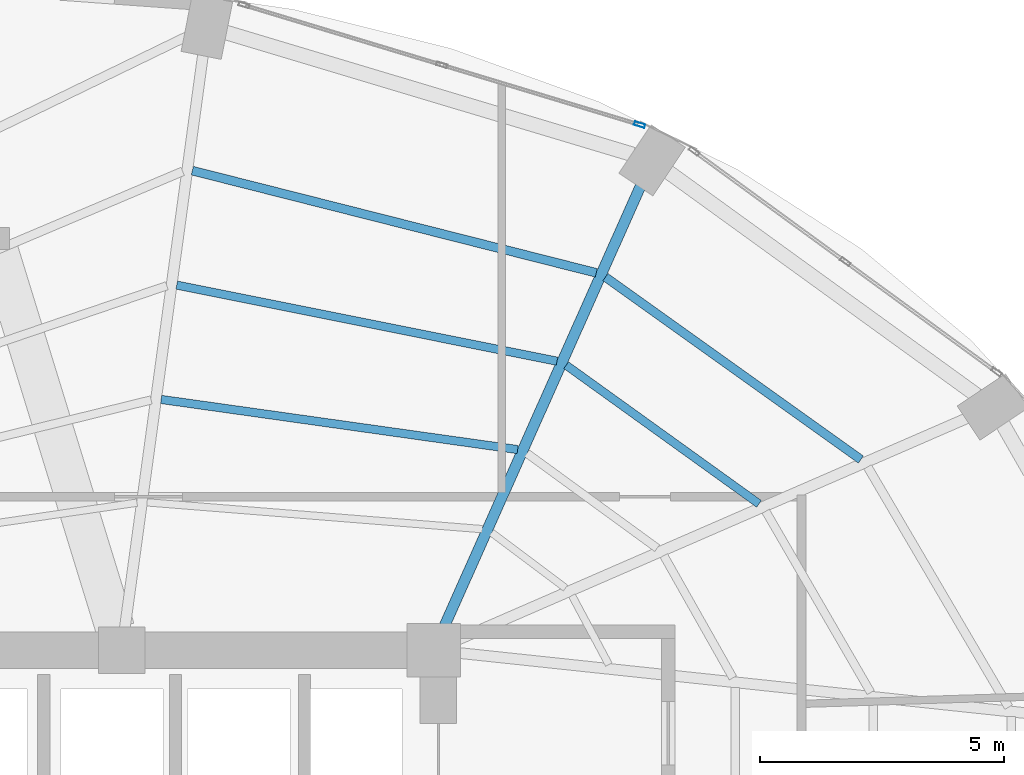
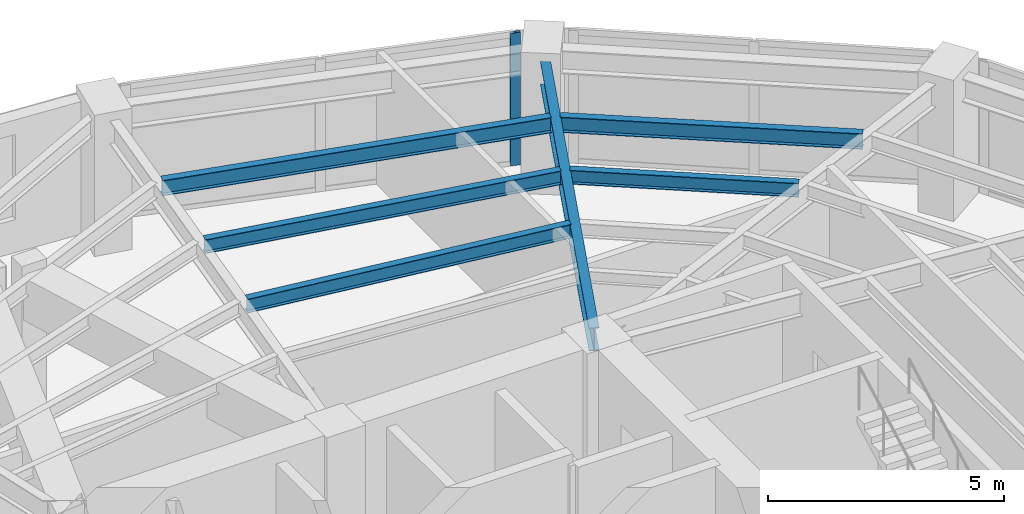
# One storey, part 16 of 23: 6 beams, 1 member, 1 element without a shape of its own.
"""IFC4 building model written with IfcOpenShell, lengths in metres."""

import ifcopenshell
import ifcopenshell.guid

model = None  # the IFC model being written
_history = None  # IfcOwnerHistory: only IFC2X3 demands one
_inside = {}  # id of a spatial element -> (the spatial element, [elements in it])
_under = {}  # id of a project, library or spatial element -> (it, [spatial elements below it])
_declared = {}  # id of a project -> (the project, [libraries it declares])
_typed = {}  # id of a type object -> (the type object, [elements of that type])
_made_of = {}  # id of a material, layer set ... -> (it, [elements and type objects made of it])


def new_model(schema):
    """Start an empty IFC model of exactly this schema.

    Asked for "IFC4X3", IfcOpenShell would pick the latest addendum, in which some entities
    have other attributes; the version numbers below select the first issue.
    IFC2X3 requires an IfcOwnerHistory on every rooted entity: one is made here for all.
    """
    global model, _history
    if schema == "IFC4X3":
        model = ifcopenshell.file(schema_version=(4, 3, 0, 0))
    else:
        model = ifcopenshell.file(schema=schema)
    _inside.clear()
    _under.clear()
    _declared.clear()
    _typed.clear()
    _made_of.clear()
    _history = None
    if model.schema == "IFC2X3":
        org = make("IfcOrganization", Name="unknown")
        user = make(
            "IfcPersonAndOrganization",
            ThePerson=make("IfcPerson", FamilyName="unknown"),
            TheOrganization=org,
        )
        app = make(
            "IfcApplication",
            ApplicationDeveloper=org,
            Version="unknown",
            ApplicationFullName="unknown",
            ApplicationIdentifier="unknown",
        )
        _history = make(
            "IfcOwnerHistory",
            OwningUser=user,
            OwningApplication=app,
            ChangeAction="ADDED",
            CreationDate=0,
        )
    return model


def make(cls, **values):
    """One entity of the class cls with the attributes given. An attribute that is None is left unset."""
    return model.create_entity(
        cls, **{name: value for name, value in values.items() if value is not None}
    )


def rooted(cls, **values):
    """An entity with a GlobalId (a new one), such as an element, a storey or a relation."""
    return make(cls, GlobalId=ifcopenshell.guid.new(), OwnerHistory=_history, **values)


def si_unit(unit_type, name, prefix=None):
    """IfcSIUnit, for example si_unit("LENGTHUNIT", "METRE", prefix="MILLI")."""
    return make("IfcSIUnit", UnitType=unit_type, Prefix=prefix, Name=name)


def assignment(units):
    """IfcUnitAssignment: the units of a project."""
    return None if units is None else make("IfcUnitAssignment", Units=units)


def point(xyz):
    """IfcCartesianPoint."""
    return None if xyz is None else make("IfcCartesianPoint", Coordinates=xyz)


def direction(xyz):
    """IfcDirection."""
    return None if xyz is None else make("IfcDirection", DirectionRatios=xyz)


def frame(location, z_axis=None, x_axis=None):
    """IfcAxis2Placement3D, a coordinate frame: its origin and axes. An axis left out is left unset."""
    return make(
        "IfcAxis2Placement3D",
        Location=point(location),
        Axis=direction(z_axis),
        RefDirection=direction(x_axis),
    )


def frame_2d(location, x_axis=None):
    """IfcAxis2Placement2D, a coordinate frame in the plane: its origin and x axis."""
    return make(
        "IfcAxis2Placement2D", Location=point(location), RefDirection=direction(x_axis)
    )


def origin():
    """The frame at (0, 0, 0) with its axes left unset."""
    return frame((0.0, 0.0, 0.0))


def origin_2d():
    """The frame at (0, 0) in the plane with its x axis left unset."""
    return frame_2d((0.0, 0.0))


def place(relative_to, where):
    """IfcLocalPlacement: puts the frame where relative to a parent placement (None: the world)."""
    return make(
        "IfcLocalPlacement", PlacementRelTo=relative_to, RelativePlacement=where
    )


def context(
    kind, dimensions, precision=None, world=None, true_north=None, identifier=None
):
    """IfcGeometricRepresentationContext, for example the 3D "Model" context."""
    return make(
        "IfcGeometricRepresentationContext",
        ContextIdentifier=identifier,
        ContextType=kind,
        CoordinateSpaceDimension=dimensions,
        Precision=precision,
        WorldCoordinateSystem=world,
        TrueNorth=true_north,
    )


def subcontext(parent, identifier, kind, view, scale=None):
    """IfcGeometricRepresentationSubContext, for example "Body" below "Model"."""
    return make(
        "IfcGeometricRepresentationSubContext",
        ContextIdentifier=identifier,
        ContextType=kind,
        ParentContext=parent,
        TargetScale=scale,
        TargetView=view,
    )


def project(units=None, contexts=None):
    """IfcProject with its units and contexts."""
    return rooted(
        "IfcProject",
        Name="project",
        RepresentationContexts=contexts,
        UnitsInContext=assignment(units),
    )


def spatial(cls, under=None, at=None, **own):
    """A site, building, storey or space (cls), placed at a placement, below another one or the project."""
    s = rooted(cls, ObjectPlacement=at, **own)
    if under is not None:
        _under.setdefault(under.id(), (under, []))[1].append(s)
    return s


def profile(cls, at=None, kind="AREA", **sizes):
    """A parametric profile (cls). Its sizes go by their IFC names, for example OverallWidth=200.0."""
    return make(cls, ProfileType=kind, Position=at, **sizes)


def hollow_rectangle(**sizes):
    """IfcRectangleHollowProfileDef."""
    return profile("IfcRectangleHollowProfileDef", **sizes)


def i_section(**sizes):
    """IfcIShapeProfileDef."""
    return profile("IfcIShapeProfileDef", **sizes)


def extrude(swept, where, along, depth):
    """IfcExtrudedAreaSolid: the profile swept, set in the frame where, extruded along a direction by depth."""
    return make(
        "IfcExtrudedAreaSolid",
        SweptArea=swept,
        Position=where,
        ExtrudedDirection=direction(along),
        Depth=depth,
    )


def shape(context_of_items, identifier, shape_type, items):
    """IfcShapeRepresentation: the items that make up one representation, for example the "Body"."""
    return make(
        "IfcShapeRepresentation",
        ContextOfItems=context_of_items,
        RepresentationIdentifier=identifier,
        RepresentationType=shape_type,
        Items=items,
    )


def material(Name=None, Category=None):
    """IfcMaterial."""
    return make("IfcMaterial", Name=Name, Category=Category)


def layer(
    of_material, thickness, ventilated=None, Name=None, Category=None, Priority=None
):
    """IfcMaterialLayer: one layer of a wall or slab, of a material (None: an air gap)."""
    return make(
        "IfcMaterialLayer",
        Material=of_material,
        LayerThickness=thickness,
        IsVentilated=ventilated,
        Name=Name,
        Category=Category,
        Priority=Priority,
    )


def layer_set(layers, Name=None):
    """IfcMaterialLayerSet."""
    return make("IfcMaterialLayerSet", MaterialLayers=layers, LayerSetName=Name)


def material_profile(
    of_material, cross_section, Name=None, Category=None, Priority=None
):
    """IfcMaterialProfile: a cross section and its material."""
    return make(
        "IfcMaterialProfile",
        Name=Name,
        Material=of_material,
        Profile=cross_section,
        Priority=Priority,
        Category=Category,
    )


def profile_set(profiles, Name=None, composite=None):
    """IfcMaterialProfileSet."""
    return make(
        "IfcMaterialProfileSet",
        Name=Name,
        MaterialProfiles=profiles,
        CompositeProfile=composite,
    )


def made_of(thing, what):
    """Note that an element or type object is made of a material, layer set ...; save() writes the relation."""
    if what is not None:
        _made_of.setdefault(what.id(), (what, []))[1].append(thing)
    return thing


def type_object(cls, material=None, **own):
    """A type object (cls), such as IfcWallType, which elements share."""
    return made_of(rooted(cls, **own), material)


def element(
    cls,
    number,
    at=None,
    inside=None,
    cuts=None,
    type_object=None,
    material=None,
    context=None,
    identifier="Body",
    shape_type=None,
    held_by="IfcProductDefinitionShape",
    body=None,
    shapes=None,
    **own,
):
    """One element of the class cls, such as IfcWall. Its Tag is "e" and its number.

    at: its placement. inside: the storey or other place that contains it. cuts: it is an
    opening in that element (IfcRelVoidsElement). A single representation is given by context,
    identifier, shape_type and body (its items); several are given by shapes. held_by: the class
    of the entity that holds the representations. save() writes the other relations.
    """
    e = rooted(cls, Tag="e%d" % number, ObjectPlacement=at, **own)
    if body is not None:
        shapes = [shape(context, identifier, shape_type, body)]
    if shapes is not None:
        e.Representation = make(held_by, Representations=shapes)
    if inside is not None:
        _inside.setdefault(inside.id(), (inside, []))[1].append(e)
    if cuts is not None:
        rooted(
            "IfcRelVoidsElement", RelatingBuildingElement=cuts, RelatedOpeningElement=e
        )
    if type_object is not None:
        _typed.setdefault(type_object.id(), (type_object, []))[1].append(e)
    return made_of(e, material)


def aggregate(whole, parts):
    """IfcRelAggregates: a whole, such as a stair, and the parts it consists of."""
    return rooted("IfcRelAggregates", RelatingObject=whole, RelatedObjects=parts)


def save(model, path):
    """Write the relations noted so far, then the file.

    IfcRelAggregates (storeys below a building ...), IfcRelContainedInSpatialStructure (elements
    in a storey), IfcRelDefinesByType, IfcRelAssociatesMaterial and IfcRelDeclares: one each for
    every whole, place, type object, material and project.
    """
    for whole, parts in _under.values():
        aggregate(whole, parts)
    for where, things in _inside.values():
        rooted(
            "IfcRelContainedInSpatialStructure",
            RelatedElements=things,
            RelatingStructure=where,
        )
    for kind, things in _typed.values():
        rooted("IfcRelDefinesByType", RelatedObjects=things, RelatingType=kind)
    for what, things in _made_of.values():
        rooted("IfcRelAssociatesMaterial", RelatedObjects=things, RelatingMaterial=what)
    for by, libraries in _declared.values():
        rooted("IfcRelDeclares", RelatingContext=by, RelatedDefinitions=libraries)
    model.write(path)


model = new_model("IFC4")

# Units and contexts
model_context = context("Model", 3, precision=1e-05, world=origin(), true_north=direction((0.0, 1.0)))
body_context = subcontext(model_context, "Body", "Model", "MODEL_VIEW")
ifc_project = project(units=[si_unit("LENGTHUNIT", "METRE"), si_unit("AREAUNIT", "SQUARE_METRE"), si_unit("VOLUMEUNIT", "CUBIC_METRE"), si_unit("PLANEANGLEUNIT", "RADIAN"), si_unit("MASSUNIT", "GRAM", prefix="KILO")], contexts=[model_context])

# Site, building, storey
site_placement = place(None, origin())
site = spatial("IfcSite", under=ifc_project, at=site_placement, CompositionType="ELEMENT")
building_placement = place(site_placement, origin())
building = spatial("IfcBuilding", under=site, at=building_placement, Name="Lazwardi Medical Tower", CompositionType="ELEMENT")
storey_placement = place(building_placement, frame((0.0, 0.0, 125.52001953125)))
storey = spatial("IfcBuildingStorey", under=building, at=storey_placement, Name="L32", CompositionType="ELEMENT", Elevation=125.52001953125)

# Beams
ifc_material_1 = material(Name="Steel S355", Category="steel")
ifc_material_profile_1 = material_profile(ifc_material_1, i_section(OverallWidth=0.219970703125, OverallDepth=0.60009765625, WebThickness=0.011962890625, FlangeThickness=0.01904296875, at=origin_2d()), Name="IPE 600")
ifc_profile_set_1 = profile_set([ifc_material_profile_1], Name="Steel S355")
beam_type_1 = type_object("IfcBeamType", Name="BM-RG-W1", PredefinedType="BEAM", material=ifc_profile_set_1)
beam_1_placement = place(storey_placement, frame((49.847412109375, 45.127685546875, 3.1279296875), z_axis=(-0.407165924957, -0.913354208155, 0.0), x_axis=(0.913354208155, -0.407165924957, 0.0)))
element("IfcBeam", 1, at=beam_1_placement, inside=storey, type_object=beam_type_1, Name="Radial girder RG-02 R07 L32", PredefinedType="BEAM", context=body_context, shape_type="SweptSolid", body=[
    extrude(i_section(OverallWidth=0.219970703125, OverallDepth=0.60009765625, WebThickness=0.011962890625, FlangeThickness=0.01904296875, at=origin_2d()), origin(), (0.0, 0.0, 1.0), 9.896484375),
])
ifc_material_profile_2 = material_profile(ifc_material_1, i_section(OverallWidth=0.179931640625, OverallDepth=0.39990234375, WebThickness=0.008544921875, FlangeThickness=0.013427734375, at=origin_2d()), Name="IPE 400")
ifc_profile_set_2 = profile_set([ifc_material_profile_2], Name="Steel S355")
beam_type_2 = type_object("IfcBeamType", Name="BM-SJ-01", PredefinedType="JOIST", material=ifc_profile_set_2)
beam_2_placement = place(storey_placement, frame((54.369384765625, 39.514404296875, 3.22802734375), z_axis=(-0.813748834317, 0.581216684763, 0.0), x_axis=(-0.581216684763, -0.813748834317, 0.0)))
element("IfcBeam", 2, at=beam_2_placement, inside=storey, type_object=beam_type_2, Name="Secondary joist SJ-01 R1 B06 L32", PredefinedType="JOIST", context=body_context, shape_type="SweptSolid", body=[
    extrude(i_section(OverallWidth=0.179931640625, OverallDepth=0.39990234375, WebThickness=0.008544921875, FlangeThickness=0.013427734375, at=origin_2d()), origin(), (0.0, 0.0, 1.0), 6.4423828125),
])
beam_3_placement = place(storey_placement, frame((48.939697265625, 43.345703125, 3.22802734375), z_axis=(-0.96945186753, 0.245281626997, 0.0), x_axis=(-0.245281626997, -0.96945186753, 0.0)))
element("IfcBeam", 3, at=beam_3_placement, inside=storey, type_object=beam_type_2, Name="Secondary joist SJ-01 R1 B07 L32", PredefinedType="JOIST", context=body_context, shape_type="SweptSolid", body=[
    extrude(i_section(OverallWidth=0.179931640625, OverallDepth=0.39990234375, WebThickness=0.008544921875, FlangeThickness=0.013427734375, at=origin_2d()), origin(), (0.0, 0.0, 1.0), 8.552978515625),
])
ifc_material_profile_3 = material_profile(ifc_material_1, i_section(OverallWidth=0.169921875, OverallDepth=0.360107421875, WebThickness=0.008056640625, FlangeThickness=0.0126953125, at=origin_2d()), Name="IPE 360")
ifc_profile_set_3 = profile_set([ifc_material_profile_3], Name="Steel S355")
beam_type_3 = type_object("IfcBeamType", Name="BM-SJ-02", PredefinedType="JOIST", material=ifc_profile_set_3)
beam_4_placement = place(storey_placement, frame((52.278564453125, 38.604736328125, 3.248046875), z_axis=(-0.811888517177, 0.583812500446, 0.0), x_axis=(-0.583812500446, -0.811888517177, 0.0)))
element("IfcBeam", 4, at=beam_4_placement, inside=storey, type_object=beam_type_3, Name="Secondary joist SJ-02 R2 B06 L32", PredefinedType="JOIST", context=body_context, shape_type="SweptSolid", body=[
    extrude(i_section(OverallWidth=0.169921875, OverallDepth=0.360107421875, WebThickness=0.008056640625, FlangeThickness=0.0126953125, at=origin_2d()), origin(), (0.0, 0.0, 1.0), 4.874755859375),
])
beam_5_placement = place(storey_placement, frame((48.1328125, 41.53271484375, 3.248046875), z_axis=(-0.980542906584, 0.196304886203, 0.0), x_axis=(-0.196304886203, -0.980542906584, 0.0)))
element("IfcBeam", 5, at=beam_5_placement, inside=storey, type_object=beam_type_3, Name="Secondary joist SJ-02 R2 B07 L32", PredefinedType="JOIST", context=body_context, shape_type="SweptSolid", body=[
    extrude(i_section(OverallWidth=0.169921875, OverallDepth=0.360107421875, WebThickness=0.008056640625, FlangeThickness=0.0126953125, at=origin_2d()), origin(), (0.0, 0.0, 1.0), 7.95947265625),
])
beam_6_placement = place(storey_placement, frame((47.32568359375, 39.718994140625, 3.248046875), z_axis=(-0.990260920731, 0.139223952222, 0.0), x_axis=(-0.139223952222, -0.990260920731, 0.0)))
element("IfcBeam", 6, at=beam_6_placement, inside=storey, type_object=beam_type_3, Name="Secondary joist SJ-02 R3 B07 L32", PredefinedType="JOIST", context=body_context, shape_type="SweptSolid", body=[
    extrude(i_section(OverallWidth=0.169921875, OverallDepth=0.360107421875, WebThickness=0.008056640625, FlangeThickness=0.0126953125, at=origin_2d()), origin(), (0.0, 0.0, 1.0), 7.3896484375),
])

# Curtain wall, member
ifc_material_2 = material(Name="Anodised bronze aluminium and solar control glazing", Category="aluminium")
ifc_layer = layer(ifc_material_2, 0.195068359375)
ifc_layer_set = layer_set([ifc_layer], Name="Anodised bronze aluminium and solar control glazing")
curtain_wall_type = type_object("IfcCurtainWallType", Name="CW-SYS-03", PredefinedType="NOTDEFINED", material=ifc_layer_set)
curtain_wall_placement = place(storey_placement, origin())
curtain_wall = element("IfcCurtainWall", 7, at=curtain_wall_placement, inside=storey, type_object=curtain_wall_type, Name="L32 Unitised bronze curtain wall CW-03", PredefinedType="NOTDEFINED")
ifc_material_3 = material(Name="Anodised bronze aluminium", Category="aluminium")
ifc_material_profile_4 = material_profile(ifc_material_3, hollow_rectangle(XDim=0.074951171875, YDim=0.219970703125, WallThickness=0.00390625, at=origin_2d()), Name="ALU-MULLION 220x75x4")
ifc_profile_set_4 = profile_set([ifc_material_profile_4], Name="Anodised bronze aluminium")
member_type = type_object("IfcMemberType", Name="CW-MUL-01", PredefinedType="MULLION", material=ifc_profile_set_4)
member_placement = place(storey_placement, frame((49.828369140625, 46.385986328125, 0.0), z_axis=(0.0, 0.0, 1.0), x_axis=(-0.28937381157, -0.957216170558, 0.0)))
member = element("IfcMember", 8, at=member_placement, type_object=member_type, Name="CW-03 mullion 1", PredefinedType="MULLION", context=body_context, shape_type="SweptSolid", body=[
    extrude(hollow_rectangle(XDim=0.074951171875, YDim=0.219970703125, WallThickness=0.00390625, at=origin_2d()), origin(), (0.0, 0.0, 1.0), 3.427978515625),
])
aggregate(curtain_wall, [member])

save(model, "model.ifc")
